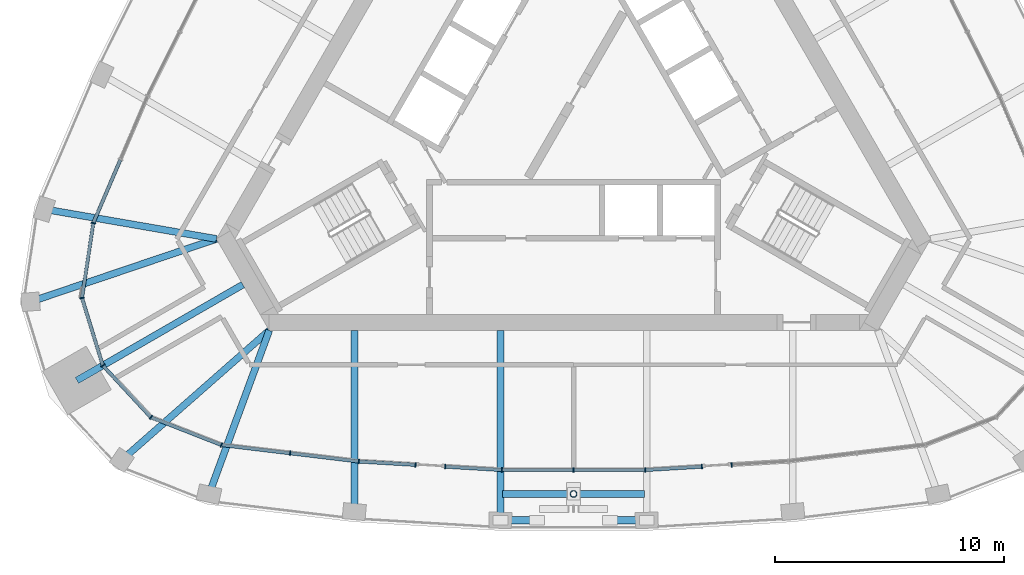
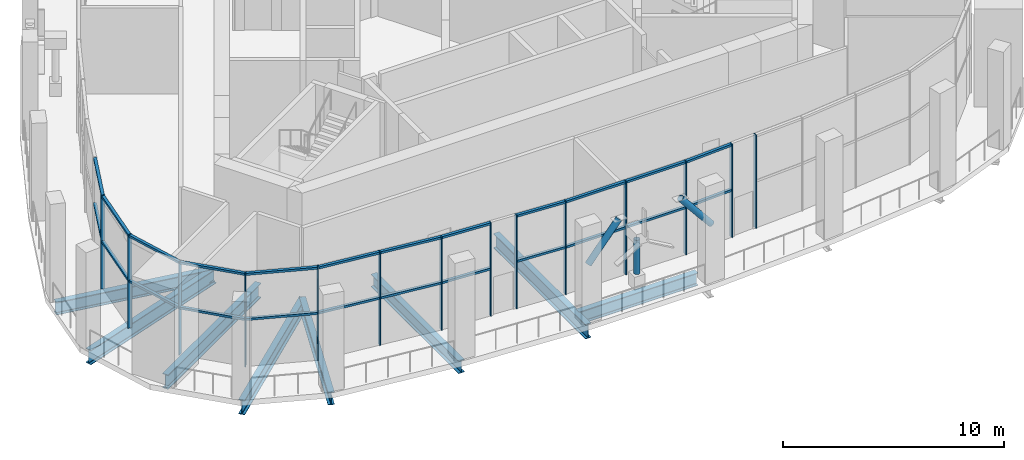
# One storey, part 2 of 23: 41 members, 8 beams, 3 elements without a shape of their own.
"""IFC4 building model written with IfcOpenShell, lengths in metres."""

from ifc_helpers import new_model, si_unit, direction, frame, origin, origin_2d, place, context, subcontext, project, spatial, rectangle, hollow_circle, i_section, extrude, material, material_profile, profile_set, type_object, element, aggregate, save


model = new_model("IFC4")

# Units and contexts
model_context = context("Model", 3, precision=1e-05, world=origin(), true_north=direction((0.0, 1.0)))
body_context = subcontext(model_context, "Body", "Model", "MODEL_VIEW")
ifc_project = project(units=[si_unit("LENGTHUNIT", "METRE"), si_unit("AREAUNIT", "SQUARE_METRE"), si_unit("VOLUMEUNIT", "CUBIC_METRE"), si_unit("PLANEANGLEUNIT", "RADIAN"), si_unit("MASSUNIT", "GRAM", prefix="KILO")], contexts=[model_context])

# Site, building, storey
site_placement = place(None, origin())
site = spatial("IfcSite", under=ifc_project, at=site_placement, CompositionType="ELEMENT")
building_placement = place(site_placement, origin())
building = spatial("IfcBuilding", under=site, at=building_placement, Name="Mestral Congress Tower", CompositionType="ELEMENT")
storey_placement = place(building_placement, frame((0.0, 0.0, 261.60009765625)))
storey = spatial("IfcBuildingStorey", under=building, at=storey_placement, Name="L61", CompositionType="ELEMENT", Elevation=261.60009765625)

# Curtain wall, members
ifc_material_1 = material(Name="Clear low-emissivity double glazing", Category="glass")
curtain_wall_type = type_object("IfcCurtainWallType", Name="Facade control room curtain wall", PredefinedType="USERDEFINED", material=ifc_material_1)
placement = place(storey_placement, origin())
curtain_wall_1 = element("IfcCurtainWall", 1, at=placement, inside=storey, type_object=curtain_wall_type, Name="Facade control room curtain wall face 1", ObjectType="CURTAIN WALL", PredefinedType="USERDEFINED")
ifc_material_2 = material(Name="Anodised aluminium", Category="aluminium")
ifc_material_profile_1 = material_profile(ifc_material_2, rectangle(XDim=0.199951171875, YDim=0.050048828125, at=origin_2d()), Name="CW5 mullion 200 x 50")
ifc_profile_set_1 = profile_set([ifc_material_profile_1], Name="Anodised aluminium")
member_type_1 = type_object("IfcMemberType", Name="Facade control room curtain wall mullion", PredefinedType="MULLION", material=ifc_profile_set_1)
member_1_placement = place(storey_placement, frame((-12.39501953125, -15.72119140625, 0.0), z_axis=(0.0, 0.0, 1.0), x_axis=(-0.11904517272, -0.992888839122, 0.0)))
member_1 = element("IfcMember", 2, at=member_1_placement, type_object=member_type_1, Name="Facade control room curtain wall mullion", PredefinedType="MULLION", context=body_context, shape_type="SweptSolid", body=[
    extrude(rectangle(XDim=0.199951171875, YDim=0.050048828125, at=origin_2d()), origin(), (0.0, 0.0, 1.0), 5.14990234375),
])
member_2_placement = place(storey_placement, frame((-9.390380859375, -16.08154296875, 0.0), z_axis=(0.0, 0.0, 1.0), x_axis=(-0.089377567035, -0.995997816519, 0.0)))
member_2 = element("IfcMember", 3, at=member_2_placement, type_object=member_type_1, Name="Facade control room curtain wall mullion", PredefinedType="MULLION", context=body_context, shape_type="SweptSolid", body=[
    extrude(rectangle(XDim=0.199951171875, YDim=0.050048828125, at=origin_2d()), origin(), (0.0, 0.0, 1.0), 5.14990234375),
])
member_3_placement = place(storey_placement, frame((-6.910888671875, -16.2294921875, 0.0), z_axis=(0.0, 0.0, 1.0), x_axis=(-0.059628688056, -0.998220626696, 0.0)))
member_3 = element("IfcMember", 4, at=member_3_placement, type_object=member_type_1, Name="Facade control room curtain wall mullion", PredefinedType="MULLION", context=body_context, shape_type="SweptSolid", body=[
    extrude(rectangle(XDim=0.199951171875, YDim=0.050048828125, at=origin_2d()), origin(), (0.0, 0.0, 1.0), 5.14990234375),
])
member_4_placement = place(storey_placement, frame((-5.61328125, -16.30712890625, 0.0), z_axis=(0.0, 0.0, 1.0), x_axis=(-0.059628688056, -0.998220626696, 0.0)))
member_4 = element("IfcMember", 5, at=member_4_placement, type_object=member_type_1, Name="Facade control room curtain wall mullion", PredefinedType="MULLION", context=body_context, shape_type="SweptSolid", body=[
    extrude(rectangle(XDim=0.199951171875, YDim=0.050048828125, at=origin_2d()), origin(), (0.0, 0.0, 1.0), 5.14990234375),
])
member_5_placement = place(storey_placement, frame((-3.1337890625, -16.455078125, 0.0), z_axis=(0.0, 0.0, 1.0), x_axis=(-0.029828487872, -0.999555031657, 0.0)))
member_5 = element("IfcMember", 6, at=member_5_placement, type_object=member_type_1, Name="Facade control room curtain wall mullion", PredefinedType="MULLION", context=body_context, shape_type="SweptSolid", body=[
    extrude(rectangle(XDim=0.199951171875, YDim=0.050048828125, at=origin_2d()), origin(), (0.0, 0.0, 1.0), 5.14990234375),
])
member_6_placement = place(storey_placement, frame((0.0, -16.455078125, 0.0), z_axis=(0.0, 0.0, 1.0), x_axis=(0.0, -1.0, 0.0)))
member_6 = element("IfcMember", 7, at=member_6_placement, type_object=member_type_1, Name="Facade control room curtain wall mullion", PredefinedType="MULLION", context=body_context, shape_type="SweptSolid", body=[
    extrude(rectangle(XDim=0.199951171875, YDim=0.050048828125, at=origin_2d()), origin(), (0.0, 0.0, 1.0), 5.14990234375),
])
member_7_placement = place(storey_placement, frame((3.1337890625, -16.455078125, 0.0), z_axis=(0.0, 0.0, 1.0), x_axis=(0.029828487872, -0.999555031657, 0.0)))
member_7 = element("IfcMember", 8, at=member_7_placement, type_object=member_type_1, Name="Facade control room curtain wall mullion", PredefinedType="MULLION", context=body_context, shape_type="SweptSolid", body=[
    extrude(rectangle(XDim=0.199951171875, YDim=0.050048828125, at=origin_2d()), origin(), (0.0, 0.0, 1.0), 5.14990234375),
])
member_8_placement = place(storey_placement, frame((5.61328125, -16.30712890625, 0.0), z_axis=(0.0, 0.0, 1.0), x_axis=(0.059628688056, -0.998220626696, 0.0)))
member_8 = element("IfcMember", 9, at=member_8_placement, type_object=member_type_1, Name="Facade control room curtain wall mullion", PredefinedType="MULLION", context=body_context, shape_type="SweptSolid", body=[
    extrude(rectangle(XDim=0.199951171875, YDim=0.050048828125, at=origin_2d()), origin(), (0.0, 0.0, 1.0), 5.14990234375),
])
member_9_placement = place(storey_placement, frame((6.9111328125, -16.2294921875, 0.0), z_axis=(0.0, 0.0, 1.0), x_axis=(0.059628688056, -0.998220626696, 0.0)))
member_9 = element("IfcMember", 10, at=member_9_placement, type_object=member_type_1, Name="Facade control room curtain wall mullion", PredefinedType="MULLION", context=body_context, shape_type="SweptSolid", body=[
    extrude(rectangle(XDim=0.199951171875, YDim=0.050048828125, at=origin_2d()), origin(), (0.0, 0.0, 1.0), 5.14990234375),
])

curtain_wall_2 = element("IfcCurtainWall", 11, at=placement, inside=storey, type_object=curtain_wall_type, Name="Facade control room curtain wall corner 3", ObjectType="CURTAIN WALL", PredefinedType="USERDEFINED")
member_10_placement = place(storey_placement, frame((-21.002685546875, -5.656005859375, 0.0), z_axis=(0.0, 0.0, 1.0), x_axis=(-0.988781682753, 0.149367947874, 0.0)))
member_10 = element("IfcMember", 12, at=member_10_placement, type_object=member_type_1, Name="Facade control room curtain wall mullion", PredefinedType="MULLION", context=body_context, shape_type="SweptSolid", body=[
    extrude(rectangle(XDim=0.199951171875, YDim=0.050048828125, at=origin_2d()), origin(), (0.0, 0.0, 1.0), 5.14990234375),
])
member_11_placement = place(storey_placement, frame((-21.49755859375, -8.931396484375, 0.0), z_axis=(0.0, 0.0, 1.0), x_axis=(-0.997220225652, -0.074510546573, 0.0)))
member_11 = element("IfcMember", 13, at=member_11_placement, type_object=member_type_1, Name="Facade control room curtain wall mullion", PredefinedType="MULLION", context=body_context, shape_type="SweptSolid", body=[
    extrude(rectangle(XDim=0.199951171875, YDim=0.050048828125, at=origin_2d()), origin(), (0.0, 0.0, 1.0), 5.14990234375),
])
member_12_placement = place(storey_placement, frame((-20.586669921875, -11.8857421875, 0.0), z_axis=(0.0, 0.0, 1.0), x_axis=(-0.866025403784, -0.5, 0.0)))
member_12 = element("IfcMember", 14, at=member_12_placement, type_object=member_type_1, Name="Facade control room curtain wall mullion", PredefinedType="MULLION", context=body_context, shape_type="SweptSolid", body=[
    extrude(rectangle(XDim=0.199951171875, YDim=0.050048828125, at=origin_2d()), origin(), (0.0, 0.0, 1.0), 5.14990234375),
])
member_13_placement = place(storey_placement, frame((-18.483642578125, -14.15185546875, 0.0), z_axis=(0.0, 0.0, 1.0), x_axis=(-0.563138139008, -0.826362775296, 0.0)))
member_13 = element("IfcMember", 15, at=member_13_placement, type_object=member_type_1, Name="Facade control room curtain wall mullion", PredefinedType="MULLION", context=body_context, shape_type="SweptSolid", body=[
    extrude(rectangle(XDim=0.199951171875, YDim=0.050048828125, at=origin_2d()), origin(), (0.0, 0.0, 1.0), 5.14990234375),
])
member_14_placement = place(storey_placement, frame((-15.3994140625, -15.361083984375, 0.0), z_axis=(0.0, 0.0, 1.0), x_axis=(-0.365034404006, -0.930994029998, 0.0)))
member_14 = element("IfcMember", 16, at=member_14_placement, type_object=member_type_1, Name="Facade control room curtain wall mullion", PredefinedType="MULLION", context=body_context, shape_type="SweptSolid", body=[
    extrude(rectangle(XDim=0.199951171875, YDim=0.050048828125, at=origin_2d()), origin(), (0.0, 0.0, 1.0), 5.14990234375),
])

# Member
ifc_material_profile_2 = material_profile(ifc_material_2, rectangle(XDim=0.14990234375, YDim=0.1201171875, at=origin_2d()), Name="CW5 transom 150 x 120")
ifc_profile_set_2 = profile_set([ifc_material_profile_2], Name="Anodised aluminium")
member_type_2 = type_object("IfcMemberType", Name="Facade control room curtain wall transom", PredefinedType="USERDEFINED", material=ifc_profile_set_2)
member_15_placement = place(storey_placement, frame((-15.374755859375, -15.364013671875, 2.599853515625), z_axis=(0.992890030727, -0.119035233792, 0.0), x_axis=(0.119035233792, 0.992890030727, 0.0)))
member_15 = element("IfcMember", 17, at=member_15_placement, type_object=member_type_2, Name="Facade control room curtain wall transom", ObjectType="TRANSOM", PredefinedType="USERDEFINED", context=body_context, shape_type="SweptSolid", body=[
    extrude(rectangle(XDim=0.14990234375, YDim=0.1201171875, at=origin_2d()), origin(), (0.0, 0.0, 1.0), 2.97607421875),
])

member_16_placement = place(storey_placement, frame((-15.374755859375, -15.364013671875, 5.08984375), z_axis=(0.992890030727, -0.119035233792, 0.0), x_axis=(0.119035233792, 0.992890030727, 0.0)))
member_16 = element("IfcMember", 18, at=member_16_placement, type_object=member_type_2, Name="Facade control room curtain wall transom", ObjectType="TRANSOM", PredefinedType="USERDEFINED", context=body_context, shape_type="SweptSolid", body=[
    extrude(rectangle(XDim=0.14990234375, YDim=0.1201171875, at=origin_2d()), origin(), (0.0, 0.0, 1.0), 2.97607421875),
])

member_17_placement = place(storey_placement, frame((-12.3701171875, -15.72412109375, 2.599853515625), z_axis=(0.992880331702, -0.119116106885, 0.0), x_axis=(0.119116106885, 0.992880331702, 0.0)))
member_17 = element("IfcMember", 19, at=member_17_placement, type_object=member_type_2, Name="Facade control room curtain wall transom", ObjectType="TRANSOM", PredefinedType="USERDEFINED", context=body_context, shape_type="SweptSolid", body=[
    extrude(rectangle(XDim=0.14990234375, YDim=0.1201171875, at=origin_2d()), origin(), (0.0, 0.0, 1.0), 2.97607421875),
])

member_18_placement = place(storey_placement, frame((-12.3701171875, -15.72412109375, 5.08984375), z_axis=(0.992880331702, -0.119116106885, 0.0), x_axis=(0.119116106885, 0.992880331702, 0.0)))
member_18 = element("IfcMember", 20, at=member_18_placement, type_object=member_type_2, Name="Facade control room curtain wall transom", ObjectType="TRANSOM", PredefinedType="USERDEFINED", context=body_context, shape_type="SweptSolid", body=[
    extrude(rectangle(XDim=0.14990234375, YDim=0.1201171875, at=origin_2d()), origin(), (0.0, 0.0, 1.0), 2.97607421875),
])

member_19_placement = place(storey_placement, frame((-9.365478515625, -16.0830078125, 2.599853515625), z_axis=(0.998223150164, -0.05958642862, 0.0), x_axis=(0.05958642862, 0.998223150164, 0.0)))
member_19 = element("IfcMember", 21, at=member_19_placement, type_object=member_type_2, Name="Facade control room curtain wall transom", ObjectType="TRANSOM", PredefinedType="USERDEFINED", context=body_context, shape_type="SweptSolid", body=[
    extrude(rectangle(XDim=0.14990234375, YDim=0.1201171875, at=origin_2d()), origin(), (0.0, 0.0, 1.0), 2.433837890625),
])

member_20_placement = place(storey_placement, frame((-9.365478515625, -16.0830078125, 5.08984375), z_axis=(0.998223150164, -0.05958642862, 0.0), x_axis=(0.05958642862, 0.998223150164, 0.0)))
member_20 = element("IfcMember", 22, at=member_20_placement, type_object=member_type_2, Name="Facade control room curtain wall transom", ObjectType="TRANSOM", PredefinedType="USERDEFINED", context=body_context, shape_type="SweptSolid", body=[
    extrude(rectangle(XDim=0.14990234375, YDim=0.1201171875, at=origin_2d()), origin(), (0.0, 0.0, 1.0), 2.433837890625),
])

member_21_placement = place(storey_placement, frame((-5.58837890625, -16.30859375, 2.599853515625), z_axis=(0.99822350628, -0.059580462493, 0.0), x_axis=(0.059580462493, 0.99822350628, 0.0)))
member_21 = element("IfcMember", 23, at=member_21_placement, type_object=member_type_2, Name="Facade control room curtain wall transom", ObjectType="TRANSOM", PredefinedType="USERDEFINED", context=body_context, shape_type="SweptSolid", body=[
    extrude(rectangle(XDim=0.14990234375, YDim=0.1201171875, at=origin_2d()), origin(), (0.0, 0.0, 1.0), 2.43408203125),
])

member_22_placement = place(storey_placement, frame((-5.58837890625, -16.30859375, 5.08984375), z_axis=(0.99822350628, -0.059580462493, 0.0), x_axis=(0.059580462493, 0.99822350628, 0.0)))
member_22 = element("IfcMember", 24, at=member_22_placement, type_object=member_type_2, Name="Facade control room curtain wall transom", ObjectType="TRANSOM", PredefinedType="USERDEFINED", context=body_context, shape_type="SweptSolid", body=[
    extrude(rectangle(XDim=0.14990234375, YDim=0.1201171875, at=origin_2d()), origin(), (0.0, 0.0, 1.0), 2.43408203125),
])

member_23_placement = place(storey_placement, frame((-3.10888671875, -16.455078125, 2.599853515625), z_axis=(1.0, 0.0, 0.0), x_axis=(0.0, 1.0, 0.0)))
member_23 = element("IfcMember", 25, at=member_23_placement, type_object=member_type_2, Name="Facade control room curtain wall transom", ObjectType="TRANSOM", PredefinedType="USERDEFINED", context=body_context, shape_type="SweptSolid", body=[
    extrude(rectangle(XDim=0.14990234375, YDim=0.1201171875, at=origin_2d()), origin(), (0.0, 0.0, 1.0), 3.083984375),
])

member_24_placement = place(storey_placement, frame((-3.10888671875, -16.455078125, 5.08984375), z_axis=(1.0, 0.0, 0.0), x_axis=(0.0, 1.0, 0.0)))
member_24 = element("IfcMember", 26, at=member_24_placement, type_object=member_type_2, Name="Facade control room curtain wall transom", ObjectType="TRANSOM", PredefinedType="USERDEFINED", context=body_context, shape_type="SweptSolid", body=[
    extrude(rectangle(XDim=0.14990234375, YDim=0.1201171875, at=origin_2d()), origin(), (0.0, 0.0, 1.0), 3.083984375),
])

member_25_placement = place(storey_placement, frame((0.02490234375, -16.455078125, 2.599853515625), z_axis=(1.0, 0.0, 0.0), x_axis=(0.0, 1.0, 0.0)))
member_25 = element("IfcMember", 27, at=member_25_placement, type_object=member_type_2, Name="Facade control room curtain wall transom", ObjectType="TRANSOM", PredefinedType="USERDEFINED", context=body_context, shape_type="SweptSolid", body=[
    extrude(rectangle(XDim=0.14990234375, YDim=0.1201171875, at=origin_2d()), origin(), (0.0, 0.0, 1.0), 3.083984375),
])

member_26_placement = place(storey_placement, frame((0.02490234375, -16.455078125, 5.08984375), z_axis=(1.0, 0.0, 0.0), x_axis=(0.0, 1.0, 0.0)))
member_26 = element("IfcMember", 28, at=member_26_placement, type_object=member_type_2, Name="Facade control room curtain wall transom", ObjectType="TRANSOM", PredefinedType="USERDEFINED", context=body_context, shape_type="SweptSolid", body=[
    extrude(rectangle(XDim=0.14990234375, YDim=0.1201171875, at=origin_2d()), origin(), (0.0, 0.0, 1.0), 3.083984375),
])

member_27_placement = place(storey_placement, frame((3.15869140625, -16.45361328125, 2.599853515625), z_axis=(0.99822350628, 0.059580462493, 0.0), x_axis=(-0.059580462493, 0.99822350628, 0.0)))
member_27 = element("IfcMember", 29, at=member_27_placement, type_object=member_type_2, Name="Facade control room curtain wall transom", ObjectType="TRANSOM", PredefinedType="USERDEFINED", context=body_context, shape_type="SweptSolid", body=[
    extrude(rectangle(XDim=0.14990234375, YDim=0.1201171875, at=origin_2d()), origin(), (0.0, 0.0, 1.0), 2.43408203125),
])

member_28_placement = place(storey_placement, frame((3.15869140625, -16.45361328125, 5.08984375), z_axis=(0.99822350628, 0.059580462493, 0.0), x_axis=(-0.059580462493, 0.99822350628, 0.0)))
member_28 = element("IfcMember", 30, at=member_28_placement, type_object=member_type_2, Name="Facade control room curtain wall transom", ObjectType="TRANSOM", PredefinedType="USERDEFINED", context=body_context, shape_type="SweptSolid", body=[
    extrude(rectangle(XDim=0.14990234375, YDim=0.1201171875, at=origin_2d()), origin(), (0.0, 0.0, 1.0), 2.43408203125),
])

aggregate(curtain_wall_1, [member_1, member_2, member_3, member_4, member_5, member_6, member_7, member_8, member_9, member_15, member_16, member_17, member_18, member_19, member_20, member_21, member_22, member_23, member_24, member_25, member_26, member_27, member_28])

# Curtain wall, members
curtain_wall_3 = element("IfcCurtainWall", 31, at=placement, inside=storey, type_object=curtain_wall_type, Name="Facade control room curtain wall face 3", ObjectType="CURTAIN WALL", PredefinedType="USERDEFINED")
member_29_placement = place(storey_placement, frame((-19.822265625, -2.896728515625, 2.599853515625), z_axis=(-0.393364773666, -0.919382485606, 0.0), x_axis=(0.919382485606, -0.393364773666, 0.0)))
member_29 = element("IfcMember", 32, at=member_29_placement, type_object=member_type_2, Name="Facade control room curtain wall transom", ObjectType="TRANSOM", PredefinedType="USERDEFINED", context=body_context, shape_type="SweptSolid", body=[
    extrude(rectangle(XDim=0.14990234375, YDim=0.1201171875, at=origin_2d()), origin(), (0.0, 0.0, 1.0), 2.97607421875),
])
member_30_placement = place(storey_placement, frame((-19.822265625, -2.896728515625, 5.08984375), z_axis=(-0.393364773666, -0.919382485606, 0.0), x_axis=(0.919382485606, -0.393364773666, 0.0)))
member_30 = element("IfcMember", 33, at=member_30_placement, type_object=member_type_2, Name="Facade control room curtain wall transom", ObjectType="TRANSOM", PredefinedType="USERDEFINED", context=body_context, shape_type="SweptSolid", body=[
    extrude(rectangle(XDim=0.14990234375, YDim=0.1201171875, at=origin_2d()), origin(), (0.0, 0.0, 1.0), 2.97607421875),
])
aggregate(curtain_wall_3, [member_29, member_30])

# Member
member_31_placement = place(storey_placement, frame((-21.006591796875, -5.6806640625, 2.599853515625), z_axis=(-0.149357602395, -0.988783245513, 0.0), x_axis=(0.988783245513, -0.149357602395, 0.0)))
member_31 = element("IfcMember", 34, at=member_31_placement, type_object=member_type_2, Name="Facade control room curtain wall transom", ObjectType="TRANSOM", PredefinedType="USERDEFINED", context=body_context, shape_type="SweptSolid", body=[
    extrude(rectangle(XDim=0.14990234375, YDim=0.1201171875, at=origin_2d()), origin(), (0.0, 0.0, 1.0), 3.2626953125),
])

member_32_placement = place(storey_placement, frame((-21.006591796875, -5.6806640625, 5.08984375), z_axis=(-0.149357602395, -0.988783245513, 0.0), x_axis=(0.988783245513, -0.149357602395, 0.0)))
member_32 = element("IfcMember", 35, at=member_32_placement, type_object=member_type_2, Name="Facade control room curtain wall transom", ObjectType="TRANSOM", PredefinedType="USERDEFINED", context=body_context, shape_type="SweptSolid", body=[
    extrude(rectangle(XDim=0.14990234375, YDim=0.1201171875, at=origin_2d()), origin(), (0.0, 0.0, 1.0), 3.2626953125),
])

member_33_placement = place(storey_placement, frame((-21.490234375, -8.955322265625, 2.599853515625), z_axis=(0.29466676707, -0.955600071361, 0.0), x_axis=(0.955600071361, 0.29466676707, 0.0)))
member_33 = element("IfcMember", 36, at=member_33_placement, type_object=member_type_2, Name="Facade control room curtain wall transom", ObjectType="TRANSOM", PredefinedType="USERDEFINED", context=body_context, shape_type="SweptSolid", body=[
    extrude(rectangle(XDim=0.14990234375, YDim=0.1201171875, at=origin_2d()), origin(), (0.0, 0.0, 1.0), 3.04150390625),
])

member_34_placement = place(storey_placement, frame((-21.490234375, -8.955322265625, 5.08984375), z_axis=(0.29466676707, -0.955600071361, 0.0), x_axis=(0.955600071361, 0.29466676707, 0.0)))
member_34 = element("IfcMember", 37, at=member_34_placement, type_object=member_type_2, Name="Facade control room curtain wall transom", ObjectType="TRANSOM", PredefinedType="USERDEFINED", context=body_context, shape_type="SweptSolid", body=[
    extrude(rectangle(XDim=0.14990234375, YDim=0.1201171875, at=origin_2d()), origin(), (0.0, 0.0, 1.0), 3.04150390625),
])

member_35_placement = place(storey_placement, frame((-20.569580078125, -11.904052734375, 2.599853515625), z_axis=(0.680287903566, -0.732944996751, 0.0), x_axis=(0.732944996751, 0.680287903566, 0.0)))
member_35 = element("IfcMember", 38, at=member_35_placement, type_object=member_type_2, Name="Facade control room curtain wall transom", ObjectType="TRANSOM", PredefinedType="USERDEFINED", context=body_context, shape_type="SweptSolid", body=[
    extrude(rectangle(XDim=0.14990234375, YDim=0.1201171875, at=origin_2d()), origin(), (0.0, 0.0, 1.0), 3.04150390625),
])

member_36_placement = place(storey_placement, frame((-20.569580078125, -11.904052734375, 5.08984375), z_axis=(0.680287903566, -0.732944996751, 0.0), x_axis=(0.732944996751, 0.680287903566, 0.0)))
member_36 = element("IfcMember", 39, at=member_36_placement, type_object=member_type_2, Name="Facade control room curtain wall transom", ObjectType="TRANSOM", PredefinedType="USERDEFINED", context=body_context, shape_type="SweptSolid", body=[
    extrude(rectangle(XDim=0.14990234375, YDim=0.1201171875, at=origin_2d()), origin(), (0.0, 0.0, 1.0), 3.04150390625),
])

member_37_placement = place(storey_placement, frame((-18.460205078125, -14.160888671875, 2.599853515625), z_axis=(0.930994143141, -0.365034115444, 0.0), x_axis=(0.365034115444, 0.930994143141, 0.0)))
member_37 = element("IfcMember", 40, at=member_37_placement, type_object=member_type_2, Name="Facade control room curtain wall transom", ObjectType="TRANSOM", PredefinedType="USERDEFINED", context=body_context, shape_type="SweptSolid", body=[
    extrude(rectangle(XDim=0.14990234375, YDim=0.1201171875, at=origin_2d()), origin(), (0.0, 0.0, 1.0), 3.262451171875),
])

member_38_placement = place(storey_placement, frame((-18.460205078125, -14.160888671875, 5.08984375), z_axis=(0.930994143141, -0.365034115444, 0.0), x_axis=(0.365034115444, 0.930994143141, 0.0)))
member_38 = element("IfcMember", 41, at=member_38_placement, type_object=member_type_2, Name="Facade control room curtain wall transom", ObjectType="TRANSOM", PredefinedType="USERDEFINED", context=body_context, shape_type="SweptSolid", body=[
    extrude(rectangle(XDim=0.14990234375, YDim=0.1201171875, at=origin_2d()), origin(), (0.0, 0.0, 1.0), 3.262451171875),
])

aggregate(curtain_wall_2, [member_10, member_11, member_12, member_13, member_14, member_31, member_32, member_33, member_34, member_35, member_36, member_37, member_38])

# Beams
ifc_material_3 = material(Name="Steel S355", Category="steel")
ifc_material_profile_3 = material_profile(ifc_material_3, i_section(OverallWidth=0.300048828125, OverallDepth=0.699951171875, WebThickness=0.01708984375, FlangeThickness=0.031982421875, FilletRadius=0.027099609375, at=origin_2d()), Name="HEB 700")
ifc_profile_set_3 = profile_set([ifc_material_profile_3], Name="Steel S355")
beam_type_1 = type_object("IfcBeamType", Name="Floor beam HEB 700 S355", PredefinedType="BEAM", material=ifc_profile_set_3)
beam_1_placement = place(storey_placement, frame((-15.940673828125, -17.511962890625, -0.650146484375), z_axis=(0.345039531191, 0.938588153513, 0.0), x_axis=(-0.938588153513, 0.345039531191, 0.0)))
element("IfcBeam", 42, at=beam_1_placement, inside=storey, type_object=beam_type_1, Name="BM-L61-RB5-S00", PredefinedType="BEAM", context=body_context, shape_type="SweptSolid", body=[
    extrude(i_section(OverallWidth=0.300048828125, OverallDepth=0.699951171875, WebThickness=0.01708984375, FlangeThickness=0.031982421875, FilletRadius=0.027099609375, at=origin_2d()), origin(), (0.0, 0.0, 1.0), 7.63037109375),
])
beam_2_placement = place(storey_placement, frame((-9.587158203125, -18.273681640625, -0.650146484375), z_axis=(0.0, 1.0, 0.0), x_axis=(-1.0, 0.0, 0.0)))
element("IfcBeam", 43, at=beam_2_placement, inside=storey, type_object=beam_type_1, Name="BM-L61-RB5-S01", PredefinedType="BEAM", context=body_context, shape_type="SweptSolid", body=[
    extrude(i_section(OverallWidth=0.300048828125, OverallDepth=0.699951171875, WebThickness=0.01708984375, FlangeThickness=0.031982421875, FilletRadius=0.027099609375, at=origin_2d()), origin(), (0.0, 0.0, 1.0), 7.923583984375),
])
beam_3_placement = place(storey_placement, frame((-23.135986328125, -5.049072265625, -0.650146484375), z_axis=(0.985357225813, -0.170502602733, 0.0), x_axis=(0.170502602733, 0.985357225813, 0.0)))
element("IfcBeam", 44, at=beam_3_placement, inside=storey, type_object=beam_type_1, Name="BM-L61-RB5-W05", PredefinedType="BEAM", context=body_context, shape_type="SweptSolid", body=[
    extrude(i_section(OverallWidth=0.300048828125, OverallDepth=0.699951171875, WebThickness=0.01708984375, FlangeThickness=0.031982421875, FilletRadius=0.027099609375, at=origin_2d()), origin(), (0.0, 0.0, 1.0), 7.630615234375),
])
ifc_material_profile_4 = material_profile(ifc_material_3, i_section(OverallWidth=0.300048828125, OverallDepth=0.800048828125, WebThickness=0.017578125, FlangeThickness=0.032958984375, FilletRadius=0.030029296875, at=origin_2d()), Name="HEB 800")
ifc_profile_set_4 = profile_set([ifc_material_profile_4], Name="Steel S355")
beam_type_2 = type_object("IfcBeamType", Name="Floor beam HEB 800 S355", PredefinedType="BEAM", material=ifc_profile_set_4)
beam_4_placement = place(storey_placement, frame((-3.199462890625, -18.6552734375, -0.7001953125), z_axis=(0.0, 1.0, 0.0), x_axis=(-1.0, 0.0, 0.0)))
element("IfcBeam", 45, at=beam_4_placement, inside=storey, type_object=beam_type_2, Name="BM-L61-RB5-S02", PredefinedType="BEAM", context=body_context, shape_type="SweptSolid", body=[
    extrude(i_section(OverallWidth=0.300048828125, OverallDepth=0.800048828125, WebThickness=0.017578125, FlangeThickness=0.032958984375, FilletRadius=0.030029296875, at=origin_2d()), origin(), (0.0, 0.0, 1.0), 8.30517578125),
])
beam_5_placement = place(storey_placement, frame((-23.748046875, -9.099609375, -0.7001953125), z_axis=(0.947303374829, 0.320337815497, 0.0), x_axis=(-0.320337815497, 0.947303374829, 0.0)))
element("IfcBeam", 46, at=beam_5_placement, inside=storey, type_object=beam_type_2, Name="BM-L61-RB5-SW1", PredefinedType="BEAM", context=body_context, shape_type="SweptSolid", body=[
    extrude(i_section(OverallWidth=0.300048828125, OverallDepth=0.800048828125, WebThickness=0.017578125, FlangeThickness=0.032958984375, FilletRadius=0.030029296875, at=origin_2d()), origin(), (0.0, 0.0, 1.0), 8.583251953125),
])
beam_6_placement = place(storey_placement, frame((-21.71826171875, -12.5390625, -0.7001953125), z_axis=(0.866028844128, 0.499994041103, 0.0), x_axis=(-0.499994041103, 0.866028844128, 0.0)))
element("IfcBeam", 47, at=beam_6_placement, inside=storey, type_object=beam_type_2, Name="BM-L61-RB5-SW", PredefinedType="BEAM", context=body_context, shape_type="SweptSolid", body=[
    extrude(i_section(OverallWidth=0.300048828125, OverallDepth=0.800048828125, WebThickness=0.017578125, FlangeThickness=0.032958984375, FilletRadius=0.030029296875, at=origin_2d()), origin(), (0.0, 0.0, 1.0), 8.3779296875),
])
beam_7_placement = place(storey_placement, frame((-19.75439453125, -16.0166015625, -0.7001953125), z_axis=(0.75108582232, 0.660204580043, 0.0), x_axis=(-0.660204580043, 0.75108582232, 0.0)))
element("IfcBeam", 48, at=beam_7_placement, inside=storey, type_object=beam_type_2, Name="BM-L61-RB5-SW3", PredefinedType="BEAM", context=body_context, shape_type="SweptSolid", body=[
    extrude(i_section(OverallWidth=0.300048828125, OverallDepth=0.800048828125, WebThickness=0.017578125, FlangeThickness=0.032958984375, FilletRadius=0.030029296875, at=origin_2d()), origin(), (0.0, 0.0, 1.0), 8.5830078125),
])

# Members
ifc_material_profile_5 = material_profile(ifc_material_3, hollow_circle(Radius=0.161865234375, WallThickness=0.012451171875, at=origin_2d()), Name="CHS 323.9x12.5")
ifc_profile_set_5 = profile_set([ifc_material_profile_5], Name="Steel S355")
member_type_3 = type_object("IfcMemberType", Name="Slot frame knee brace CHS 323.9x12.5 S355", PredefinedType="BRACE", material=ifc_profile_set_5)
for number, where, z_axis, x_axis, name in (
    (49, (-3.199462890625, -18.6552734375, 3.0), (0.633343046045, 0.0, 0.773871168882), (0.0, 1.0, 0.0), "MK-L61-KB-C5-S02"),
    (50, (3.199462890625, -18.6552734375, 3.0), (-0.633343046045, 0.0, 0.773871168882), (0.0, -1.0, 0.0), "MK-L61-KB-C5-S03"),
):
    element("IfcMember", number, at=place(storey_placement, frame(where, z_axis=z_axis, x_axis=x_axis)), inside=storey, type_object=member_type_3, Name=name, PredefinedType="BRACE", context=body_context, shape_type="SweptSolid", body=[
        extrude(hollow_circle(Radius=0.161865234375, WallThickness=0.012451171875, at=origin_2d()), origin(), (0.0, 0.0, 1.0), 2.526123046875),
    ])
ifc_material_profile_6 = material_profile(ifc_material_3, hollow_circle(Radius=0.14990234375, WallThickness=0.01611328125, at=origin_2d()), Name="CHS 300 x 16")
ifc_profile_set_6 = profile_set([ifc_material_profile_6], Name="Steel S355")
member_type_4 = type_object("IfcMemberType", Name="Slot turbine mast CHS 300", PredefinedType="USERDEFINED", material=ifc_profile_set_6)
member_39_placement = place(storey_placement, frame((0.0, -17.5029296875, 0.699951171875), z_axis=(0.0, 0.0, 1.0), x_axis=(1.0, 0.0, 0.0)))
element("IfcMember", 51, at=member_39_placement, inside=storey, type_object=member_type_4, Name="Turbine 1 mast", ObjectType="TURBINE MAST", PredefinedType="USERDEFINED", context=body_context, shape_type="SweptSolid", body=[
    extrude(hollow_circle(Radius=0.14990234375, WallThickness=0.01611328125, at=origin_2d()), origin(), (0.0, 0.0, 1.0), 1.8798828125),
])

# Beam
ifc_material_profile_7 = material_profile(ifc_material_3, i_section(OverallWidth=0.300048828125, OverallDepth=0.699951171875, WebThickness=0.01708984375, FlangeThickness=0.031982421875, FilletRadius=0.027099609375, at=origin_2d()), Name="HEB 700")
ifc_profile_set_7 = profile_set([ifc_material_profile_7], Name="Steel S355")
beam_type_3 = type_object("IfcBeamType", Name="Slot turbine transfer beam HEB 700 S355", PredefinedType="BEAM", material=ifc_profile_set_7)
beam_8_placement = place(storey_placement, frame((-3.109619140625, -17.5029296875, -0.650146484375), z_axis=(1.0, 0.0, 0.0), x_axis=(0.0, 1.0, 0.0)))
element("IfcBeam", 52, at=beam_8_placement, inside=storey, type_object=beam_type_3, Name="Turbine 1 transfer beam", PredefinedType="BEAM", context=body_context, shape_type="SweptSolid", body=[
    extrude(i_section(OverallWidth=0.300048828125, OverallDepth=0.699951171875, WebThickness=0.01708984375, FlangeThickness=0.031982421875, FilletRadius=0.027099609375, at=origin_2d()), origin(), (0.0, 0.0, 1.0), 6.21923828125),
])

save(model, "model.ifc")
